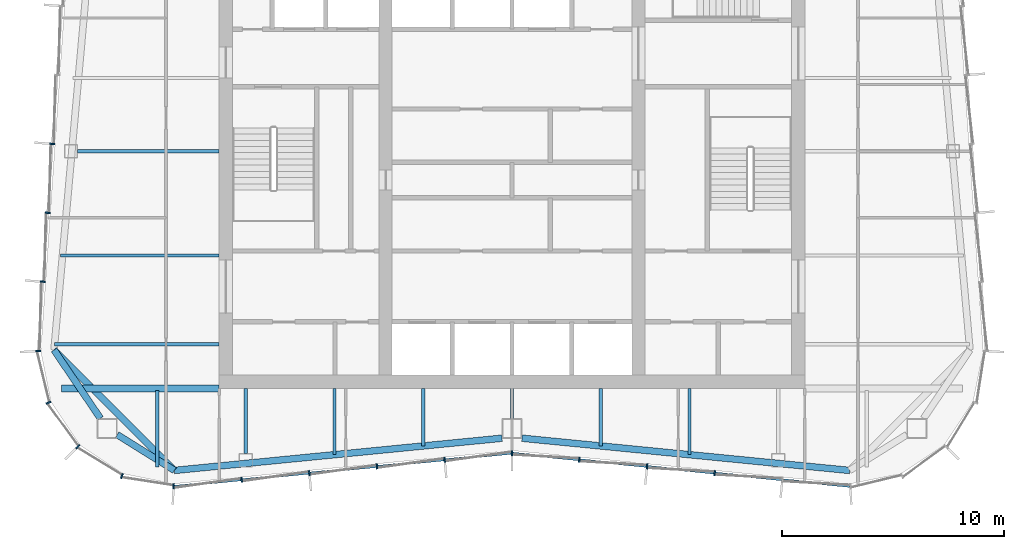
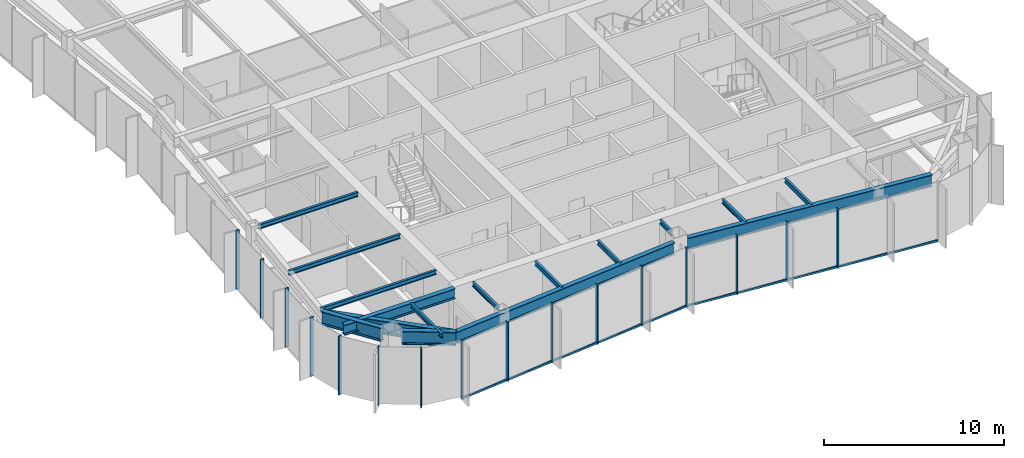
# One storey, part 3 of 13: 18 members, 16 beams, 3 elements without a shape of their own.
"""IFC4 building model written with IfcOpenShell, lengths in metres."""

from ifc_helpers import new_model, si_unit, direction, frame, origin, origin_2d, place, context, subcontext, project, spatial, rectangle, i_section, extrude, material, material_profile, profile_set, type_object, element, aggregate, save


model = new_model("IFC4")

# Units and contexts
model_context = context("Model", 3, precision=1e-05, world=origin(), true_north=direction((0.0, 1.0)))
body_context = subcontext(model_context, "Body", "Model", "MODEL_VIEW")
ifc_project = project(units=[si_unit("LENGTHUNIT", "METRE"), si_unit("AREAUNIT", "SQUARE_METRE"), si_unit("VOLUMEUNIT", "CUBIC_METRE"), si_unit("PLANEANGLEUNIT", "RADIAN"), si_unit("MASSUNIT", "GRAM", prefix="KILO")], contexts=[model_context])

# Site, building, storey
site_placement = place(None, origin())
site = spatial("IfcSite", under=ifc_project, at=site_placement, CompositionType="ELEMENT")
building_placement = place(site_placement, origin())
building = spatial("IfcBuilding", under=site, at=building_placement, Name="Verdant Reach Tower", CompositionType="ELEMENT")
storey_placement = place(building_placement, frame((0.0, 0.0, 330.0)))
storey = spatial("IfcBuildingStorey", under=building, at=storey_placement, Name="L76", CompositionType="ELEMENT", Elevation=330.0)

# Curtain wall, members
ifc_material_1 = material(Name="Anodised aluminium", Category="aluminium")
curtain_wall_type = type_object("IfcCurtainWallType", Name="EN-CW SYSTEM Z5", PredefinedType="NOTDEFINED", material=ifc_material_1)
curtain_wall_1_placement = place(storey_placement, origin())
curtain_wall_1 = element("IfcCurtainWall", 1, at=curtain_wall_1_placement, inside=storey, type_object=curtain_wall_type, Name="Curtain wall west, L76", PredefinedType="NOTDEFINED")
ifc_material_profile_1 = material_profile(ifc_material_1, rectangle(XDim=0.22998046875, YDim=0.070068359375, at=origin_2d()), Name="Mullion 70x230")
ifc_profile_set_1 = profile_set([ifc_material_profile_1], Name="Anodised aluminium")
member_type_1 = type_object("IfcMemberType", Name="EN-MULLION Z5", PredefinedType="MULLION", material=ifc_profile_set_1)
member_1_placement = place(storey_placement, frame((-20.721923828125, 28.829345703125, -0.35009765625), z_axis=(0.0, 0.0, 1.0), x_axis=(-0.997630328423, 0.068802091615, 0.0)))
member_1 = element("IfcMember", 2, at=member_1_placement, type_object=member_type_1, Name="Mullion west face part 2 5, L76", PredefinedType="MULLION", context=body_context, shape_type="SweptSolid", body=[
    extrude(rectangle(XDim=0.22998046875, YDim=0.070068359375, at=origin_2d()), origin(), (0.0, 0.0, 1.0), 4.0),
])
member_2_placement = place(storey_placement, frame((-20.93603515625, 25.72216796875, -0.35009765625), z_axis=(0.0, 0.0, 1.0), x_axis=(-0.997630328423, 0.068802091615, 0.0)))
member_2 = element("IfcMember", 3, at=member_2_placement, type_object=member_type_1, Name="Mullion west face part 2 6, L76", PredefinedType="MULLION", context=body_context, shape_type="SweptSolid", body=[
    extrude(rectangle(XDim=0.22998046875, YDim=0.070068359375, at=origin_2d()), origin(), (0.0, 0.0, 1.0), 4.0),
])
member_3_placement = place(storey_placement, frame((-21.150390625, 22.614990234375, -0.35009765625), z_axis=(0.0, 0.0, 1.0), x_axis=(-0.997630328423, 0.068802091615, 0.0)))
member_3 = element("IfcMember", 4, at=member_3_placement, type_object=member_type_1, Name="Mullion west face part 2 7, L76", PredefinedType="MULLION", context=body_context, shape_type="SweptSolid", body=[
    extrude(rectangle(XDim=0.22998046875, YDim=0.070068359375, at=origin_2d()), origin(), (0.0, 0.0, 1.0), 4.0),
])
aggregate(curtain_wall_1, [member_1, member_2, member_3])

curtain_wall_2_placement = place(storey_placement, origin())
curtain_wall_2 = element("IfcCurtainWall", 5, at=curtain_wall_2_placement, inside=storey, type_object=curtain_wall_type, Name="Curtain wall south-west corner, L76", PredefinedType="NOTDEFINED")
member_4_placement = place(storey_placement, frame((-21.36474609375, 19.49267578125, -0.35009765625), z_axis=(0.0, 0.0, 1.0), x_axis=(-0.997969180898, -0.063698618332, 0.0)))
member_4 = element("IfcMember", 6, at=member_4_placement, type_object=member_type_1, Name="Mullion south-west corner 1, L76", PredefinedType="MULLION", context=body_context, shape_type="SweptSolid", body=[
    extrude(rectangle(XDim=0.22998046875, YDim=0.070068359375, at=origin_2d()), origin(), (0.0, 0.0, 1.0), 4.0),
])
member_5_placement = place(storey_placement, frame((-20.899658203125, 17.159912109375, -0.35009765625), z_axis=(0.0, 0.0, 1.0), x_axis=(-0.923875215753, -0.382693853776, 0.0)))
member_5 = element("IfcMember", 7, at=member_5_placement, type_object=member_type_1, Name="Mullion south-west corner 2, L76", PredefinedType="MULLION", context=body_context, shape_type="SweptSolid", body=[
    extrude(rectangle(XDim=0.22998046875, YDim=0.070068359375, at=origin_2d()), origin(), (0.0, 0.0, 1.0), 4.0),
])
member_6_placement = place(storey_placement, frame((-19.573974609375, 15.176025390625, -0.35009765625), z_axis=(0.0, 0.0, 1.0), x_axis=(-0.707106781187, -0.707106781187, 0.0)))
member_6 = element("IfcMember", 8, at=member_6_placement, type_object=member_type_1, Name="Mullion south-west corner 3, L76", PredefinedType="MULLION", context=body_context, shape_type="SweptSolid", body=[
    extrude(rectangle(XDim=0.22998046875, YDim=0.070068359375, at=origin_2d()), origin(), (0.0, 0.0, 1.0), 4.0),
])
member_7_placement = place(storey_placement, frame((-17.590087890625, 13.850341796875, -0.35009765625), z_axis=(0.0, 0.0, 1.0), x_axis=(-0.382693853776, -0.923875215753, 0.0)))
member_7 = element("IfcMember", 9, at=member_7_placement, type_object=member_type_1, Name="Mullion south-west corner 4, L76", PredefinedType="MULLION", context=body_context, shape_type="SweptSolid", body=[
    extrude(rectangle(XDim=0.22998046875, YDim=0.070068359375, at=origin_2d()), origin(), (0.0, 0.0, 1.0), 4.0),
])
aggregate(curtain_wall_2, [member_4, member_5, member_6, member_7])

curtain_wall_3_placement = place(storey_placement, origin())
curtain_wall_3 = element("IfcCurtainWall", 10, at=curtain_wall_3_placement, inside=storey, type_object=curtain_wall_type, Name="Curtain wall south, L76", PredefinedType="NOTDEFINED")
member_8_placement = place(storey_placement, frame((-15.255615234375, 13.38525390625, -0.35009765625), z_axis=(0.0, 0.0, 1.0), x_axis=(-0.049127596288, -0.998792510626, 0.0)))
member_8 = element("IfcMember", 11, at=member_8_placement, type_object=member_type_1, Name="Mullion south face part 1 1, L76", PredefinedType="MULLION", context=body_context, shape_type="SweptSolid", body=[
    extrude(rectangle(XDim=0.22998046875, YDim=0.070068359375, at=origin_2d()), origin(), (0.0, 0.0, 1.0), 4.0),
])
member_9_placement = place(storey_placement, frame((-12.188720703125, 13.685546875, -0.35009765625), z_axis=(0.0, 0.0, 1.0), x_axis=(0.09788826992, -0.995197410875, 0.0)))
member_9 = element("IfcMember", 12, at=member_9_placement, type_object=member_type_1, Name="Mullion south face part 1 2, L76", PredefinedType="MULLION", context=body_context, shape_type="SweptSolid", body=[
    extrude(rectangle(XDim=0.22998046875, YDim=0.070068359375, at=origin_2d()), origin(), (0.0, 0.0, 1.0), 4.0),
])
member_10_placement = place(storey_placement, frame((-9.138671875, 13.985595703125, -0.35009765625), z_axis=(0.0, 0.0, 1.0), x_axis=(0.09788826992, -0.995197410875, 0.0)))
member_10 = element("IfcMember", 13, at=member_10_placement, type_object=member_type_1, Name="Mullion south face part 1 3, L76", PredefinedType="MULLION", context=body_context, shape_type="SweptSolid", body=[
    extrude(rectangle(XDim=0.22998046875, YDim=0.070068359375, at=origin_2d()), origin(), (0.0, 0.0, 1.0), 4.0),
])
member_11_placement = place(storey_placement, frame((-6.088623046875, 14.28564453125, -0.35009765625), z_axis=(0.0, 0.0, 1.0), x_axis=(0.09788826992, -0.995197410875, 0.0)))
member_11 = element("IfcMember", 14, at=member_11_placement, type_object=member_type_1, Name="Mullion south face part 1 4, L76", PredefinedType="MULLION", context=body_context, shape_type="SweptSolid", body=[
    extrude(rectangle(XDim=0.22998046875, YDim=0.070068359375, at=origin_2d()), origin(), (0.0, 0.0, 1.0), 4.0),
])
member_12_placement = place(storey_placement, frame((-3.038818359375, 14.58544921875, -0.35009765625), z_axis=(0.0, 0.0, 1.0), x_axis=(0.09788826992, -0.995197410875, 0.0)))
member_12 = element("IfcMember", 15, at=member_12_placement, type_object=member_type_1, Name="Mullion south face part 1 5, L76", PredefinedType="MULLION", context=body_context, shape_type="SweptSolid", body=[
    extrude(rectangle(XDim=0.22998046875, YDim=0.070068359375, at=origin_2d()), origin(), (0.0, 0.0, 1.0), 4.0),
])
member_13_placement = place(storey_placement, frame((0.0, 14.885009765625, -0.35009765625), z_axis=(0.0, 0.0, 1.0), x_axis=(0.0, -1.0, 0.0)))
member_13 = element("IfcMember", 16, at=member_13_placement, type_object=member_type_1, Name="Mullion south face part 2 1, L76", PredefinedType="MULLION", context=body_context, shape_type="SweptSolid", body=[
    extrude(rectangle(XDim=0.22998046875, YDim=0.070068359375, at=origin_2d()), origin(), (0.0, 0.0, 1.0), 4.0),
])
member_14_placement = place(storey_placement, frame((3.038818359375, 14.58544921875, -0.35009765625), z_axis=(0.0, 0.0, 1.0), x_axis=(-0.09788826992, -0.995197410875, 0.0)))
member_14 = element("IfcMember", 17, at=member_14_placement, type_object=member_type_1, Name="Mullion south face part 2 2, L76", PredefinedType="MULLION", context=body_context, shape_type="SweptSolid", body=[
    extrude(rectangle(XDim=0.22998046875, YDim=0.070068359375, at=origin_2d()), origin(), (0.0, 0.0, 1.0), 4.0),
])
member_15_placement = place(storey_placement, frame((6.088623046875, 14.28564453125, -0.35009765625), z_axis=(0.0, 0.0, 1.0), x_axis=(-0.09788826992, -0.995197410875, 0.0)))
member_15 = element("IfcMember", 18, at=member_15_placement, type_object=member_type_1, Name="Mullion south face part 2 3, L76", PredefinedType="MULLION", context=body_context, shape_type="SweptSolid", body=[
    extrude(rectangle(XDim=0.22998046875, YDim=0.070068359375, at=origin_2d()), origin(), (0.0, 0.0, 1.0), 4.0),
])
member_16_placement = place(storey_placement, frame((9.138671875, 13.985595703125, -0.35009765625), z_axis=(0.0, 0.0, 1.0), x_axis=(-0.09788826992, -0.995197410875, 0.0)))
member_16 = element("IfcMember", 19, at=member_16_placement, type_object=member_type_1, Name="Mullion south face part 2 4, L76", PredefinedType="MULLION", context=body_context, shape_type="SweptSolid", body=[
    extrude(rectangle(XDim=0.22998046875, YDim=0.070068359375, at=origin_2d()), origin(), (0.0, 0.0, 1.0), 4.0),
])
ifc_material_profile_2 = material_profile(ifc_material_1, rectangle(XDim=0.10009765625, YDim=0.1298828125, at=origin_2d()), Name="Transom 130x100")
ifc_profile_set_2 = profile_set([ifc_material_profile_2], Name="Anodised aluminium")
member_type_2 = type_object("IfcMemberType", Name="EN-TRANSOM Z5", PredefinedType="USERDEFINED", material=ifc_profile_set_2)
member_17_placement = place(storey_placement, frame((-15.220703125, 13.388671875, -0.284912109375), z_axis=(0.99520229006, 0.097838652171, 0.0), x_axis=(-0.097838652171, 0.99520229006, 0.0)))
member_17 = element("IfcMember", 20, at=member_17_placement, type_object=member_type_2, Name="Transom south face part 1 1.1, L76", ObjectType="TRANSOM", PredefinedType="USERDEFINED", context=body_context, shape_type="SweptSolid", body=[
    extrude(rectangle(XDim=0.10009765625, YDim=0.1298828125, at=origin_2d()), origin(), (0.0, 0.0, 1.0), 15.259033203125),
])
member_18_placement = place(storey_placement, frame((0.034912109375, 14.881591796875, -0.284912109375), z_axis=(0.99520229006, -0.097838652171, 0.0), x_axis=(0.097838652171, 0.99520229006, 0.0)))
member_18 = element("IfcMember", 21, at=member_18_placement, type_object=member_type_2, Name="Transom south face part 2 1.1, L76", ObjectType="TRANSOM", PredefinedType="USERDEFINED", context=body_context, shape_type="SweptSolid", body=[
    extrude(rectangle(XDim=0.10009765625, YDim=0.1298828125, at=origin_2d()), origin(), (0.0, 0.0, 1.0), 15.259033203125),
])
aggregate(curtain_wall_3, [member_8, member_9, member_10, member_11, member_12, member_17, member_13, member_14, member_15, member_16, member_18])

# Beams
ifc_material_2 = material(Name="Steel S355", Category="steel")
ifc_material_profile_3 = material_profile(ifc_material_2, i_section(OverallWidth=0.300048828125, OverallDepth=0.699951171875, WebThickness=0.01708984375, FlangeThickness=0.031982421875, FilletRadius=0.027099609375, at=origin_2d()), Name="HEB 700")
ifc_profile_set_3 = profile_set([ifc_material_profile_3], Name="Steel S355")
beam_type_1 = type_object("IfcBeamType", Name="ST-BEAM-HEB700", PredefinedType="BEAM", material=ifc_profile_set_3)
beam_1_placement = place(storey_placement, frame((-13.199951171875, 17.800048828125, 3.469970703125), z_axis=(-1.0, 0.0, 0.0), x_axis=(0.0, -1.0, 0.0)))
element("IfcBeam", 22, at=beam_1_placement, inside=storey, type_object=beam_type_1, Name="Trimmer beam, L76", PredefinedType="BEAM", context=body_context, shape_type="SweptSolid", body=[
    extrude(i_section(OverallWidth=0.300048828125, OverallDepth=0.699951171875, WebThickness=0.01708984375, FlangeThickness=0.031982421875, FilletRadius=0.027099609375, at=origin_2d()), origin(), (0.0, 0.0, 1.0), 7.10009765625),
])
ifc_material_profile_4 = material_profile(ifc_material_2, i_section(OverallWidth=0.302001953125, OverallDepth=0.909912109375, WebThickness=0.02099609375, FlangeThickness=0.0400390625, FilletRadius=0.030029296875, at=origin_2d()), Name="HEM 900")
ifc_profile_set_4 = profile_set([ifc_material_profile_4], Name="Steel S355")
beam_type_2 = type_object("IfcBeamType", Name="ST-BEAM-HEM900", PredefinedType="BEAM", material=ifc_profile_set_4)
beam_2_placement = place(storey_placement, frame((-17.800048828125, 15.71875, 3.364990234375), z_axis=(0.847903624467, -0.530150397166, 0.0), x_axis=(0.530150397166, 0.847903624467, 0.0)))
element("IfcBeam", 23, at=beam_2_placement, inside=storey, type_object=beam_type_2, Name="Column stub beam, L76", PredefinedType="BEAM", context=body_context, shape_type="SweptSolid", body=[
    extrude(i_section(OverallWidth=0.302001953125, OverallDepth=0.909912109375, WebThickness=0.02099609375, FlangeThickness=0.0400390625, FilletRadius=0.030029296875, at=origin_2d()), origin(), (0.0, 0.0, 1.0), 3.042724609375),
])
beam_3_placement = place(storey_placement, frame((-18.5546875, 16.449951171875, 3.364990234375), z_axis=(-0.560667226688, 0.828041219335, 0.0), x_axis=(-0.828041219335, -0.560667226688, 0.0)))
element("IfcBeam", 24, at=beam_3_placement, inside=storey, type_object=beam_type_2, Name="Column stub beam, L76", PredefinedType="BEAM", context=body_context, shape_type="SweptSolid", body=[
    extrude(i_section(OverallWidth=0.302001953125, OverallDepth=0.909912109375, WebThickness=0.02099609375, FlangeThickness=0.0400390625, FilletRadius=0.030029296875, at=origin_2d()), origin(), (0.0, 0.0, 1.0), 3.72998046875),
])
ifc_material_profile_5 = material_profile(ifc_material_2, i_section(OverallWidth=0.14990234375, OverallDepth=0.300048828125, WebThickness=0.007080078125, FlangeThickness=0.0107421875, FilletRadius=0.014892578125, at=origin_2d()), Name="IPE 300")
ifc_profile_set_5 = profile_set([ifc_material_profile_5], Name="Steel S355")
beam_type_3 = type_object("IfcBeamType", Name="ST-JOIST-IPE300", PredefinedType="JOIST", material=ifc_profile_set_5)
beam_4_placement = place(storey_placement, frame((-16.0, 17.699951171875, 3.669921875), z_axis=(0.0, -1.0, 0.0), x_axis=(1.0, 0.0, 0.0)))
element("IfcBeam", 25, at=beam_4_placement, inside=storey, type_object=beam_type_3, Name="Floor joist, L76", PredefinedType="JOIST", context=body_context, shape_type="SweptSolid", body=[
    extrude(i_section(OverallWidth=0.14990234375, OverallDepth=0.300048828125, WebThickness=0.007080078125, FlangeThickness=0.0107421875, FilletRadius=0.014892578125, at=origin_2d()), origin(), (0.0, 0.0, 1.0), 3.43896484375),
])
beam_5_placement = place(storey_placement, frame((-12.0, 17.800048828125, 3.669921875), z_axis=(0.0, -1.0, 0.0), x_axis=(1.0, 0.0, 0.0)))
element("IfcBeam", 26, at=beam_5_placement, inside=storey, type_object=beam_type_3, Name="Floor joist, L76", PredefinedType="JOIST", context=body_context, shape_type="SweptSolid", body=[
    extrude(i_section(OverallWidth=0.14990234375, OverallDepth=0.300048828125, WebThickness=0.007080078125, FlangeThickness=0.0107421875, FilletRadius=0.014892578125, at=origin_2d()), origin(), (0.0, 0.0, 1.0), 2.930419921875),
])
beam_6_placement = place(storey_placement, frame((-8.0, 17.800048828125, 3.669921875), z_axis=(0.0, -1.0, 0.0), x_axis=(1.0, 0.0, 0.0)))
element("IfcBeam", 27, at=beam_6_placement, inside=storey, type_object=beam_type_3, Name="Floor joist, L76", PredefinedType="JOIST", context=body_context, shape_type="SweptSolid", body=[
    extrude(i_section(OverallWidth=0.14990234375, OverallDepth=0.300048828125, WebThickness=0.007080078125, FlangeThickness=0.0107421875, FilletRadius=0.014892578125, at=origin_2d()), origin(), (0.0, 0.0, 1.0), 2.984130859375),
])
beam_7_placement = place(storey_placement, frame((-4.0, 17.800048828125, 3.669921875), z_axis=(0.0, -1.0, 0.0), x_axis=(1.0, 0.0, 0.0)))
element("IfcBeam", 28, at=beam_7_placement, inside=storey, type_object=beam_type_3, Name="Floor joist, L76", PredefinedType="JOIST", context=body_context, shape_type="SweptSolid", body=[
    extrude(i_section(OverallWidth=0.14990234375, OverallDepth=0.300048828125, WebThickness=0.007080078125, FlangeThickness=0.0107421875, FilletRadius=0.014892578125, at=origin_2d()), origin(), (0.0, 0.0, 1.0), 2.590576171875),
])
beam_8_placement = place(storey_placement, frame((0.0, 17.800048828125, 3.669921875), z_axis=(0.0, -1.0, 0.0), x_axis=(1.0, 0.0, 0.0)))
element("IfcBeam", 29, at=beam_8_placement, inside=storey, type_object=beam_type_3, Name="Floor joist, L76", PredefinedType="JOIST", context=body_context, shape_type="SweptSolid", body=[
    extrude(i_section(OverallWidth=0.14990234375, OverallDepth=0.300048828125, WebThickness=0.007080078125, FlangeThickness=0.0107421875, FilletRadius=0.014892578125, at=origin_2d()), origin(), (0.0, 0.0, 1.0), 1.35009765625),
])
beam_9_placement = place(storey_placement, frame((4.0, 17.800048828125, 3.669921875), z_axis=(0.0, -1.0, 0.0), x_axis=(1.0, 0.0, 0.0)))
element("IfcBeam", 30, at=beam_9_placement, inside=storey, type_object=beam_type_3, Name="Floor joist, L76", PredefinedType="JOIST", context=body_context, shape_type="SweptSolid", body=[
    extrude(i_section(OverallWidth=0.14990234375, OverallDepth=0.300048828125, WebThickness=0.007080078125, FlangeThickness=0.0107421875, FilletRadius=0.014892578125, at=origin_2d()), origin(), (0.0, 0.0, 1.0), 2.590576171875),
])
beam_10_placement = place(storey_placement, frame((8.0, 17.800048828125, 3.669921875), z_axis=(0.0, -1.0, 0.0), x_axis=(1.0, 0.0, 0.0)))
element("IfcBeam", 31, at=beam_10_placement, inside=storey, type_object=beam_type_3, Name="Floor joist, L76", PredefinedType="JOIST", context=body_context, shape_type="SweptSolid", body=[
    extrude(i_section(OverallWidth=0.14990234375, OverallDepth=0.300048828125, WebThickness=0.007080078125, FlangeThickness=0.0107421875, FilletRadius=0.014892578125, at=origin_2d()), origin(), (0.0, 0.0, 1.0), 2.984130859375),
])
beam_11_placement = place(storey_placement, frame((-13.199951171875, 19.800048828125, 3.669921875), z_axis=(-1.0, 0.0, 0.0), x_axis=(0.0, -1.0, 0.0)))
element("IfcBeam", 32, at=beam_11_placement, inside=storey, type_object=beam_type_3, Name="Floor joist, L76", PredefinedType="JOIST", context=body_context, shape_type="SweptSolid", body=[
    extrude(i_section(OverallWidth=0.14990234375, OverallDepth=0.300048828125, WebThickness=0.007080078125, FlangeThickness=0.0107421875, FilletRadius=0.014892578125, at=origin_2d()), origin(), (0.0, 0.0, 1.0), 7.427978515625),
])
beam_12_placement = place(storey_placement, frame((-13.199951171875, 23.800048828125, 3.669921875), z_axis=(-1.0, 0.0, 0.0), x_axis=(0.0, -1.0, 0.0)))
element("IfcBeam", 33, at=beam_12_placement, inside=storey, type_object=beam_type_3, Name="Floor joist, L76", PredefinedType="JOIST", context=body_context, shape_type="SweptSolid", body=[
    extrude(i_section(OverallWidth=0.14990234375, OverallDepth=0.300048828125, WebThickness=0.007080078125, FlangeThickness=0.0107421875, FilletRadius=0.014892578125, at=origin_2d()), origin(), (0.0, 0.0, 1.0), 7.152099609375),
])
beam_13_placement = place(storey_placement, frame((-13.199951171875, 28.5, 3.669921875), z_axis=(-1.0, 0.0, 0.0), x_axis=(0.0, -1.0, 0.0)))
element("IfcBeam", 34, at=beam_13_placement, inside=storey, type_object=beam_type_3, Name="Floor joist, L76", PredefinedType="JOIST", context=body_context, shape_type="SweptSolid", body=[
    extrude(i_section(OverallWidth=0.14990234375, OverallDepth=0.300048828125, WebThickness=0.007080078125, FlangeThickness=0.0107421875, FilletRadius=0.014892578125, at=origin_2d()), origin(), (0.0, 0.0, 1.0), 6.37939453125),
])
ifc_material_profile_6 = material_profile(ifc_material_2, i_section(OverallWidth=0.300048828125, OverallDepth=0.800048828125, WebThickness=0.017578125, FlangeThickness=0.032958984375, FilletRadius=0.030029296875, at=origin_2d()), Name="HEB 800")
ifc_profile_set_6 = profile_set([ifc_material_profile_6], Name="Steel S355")
beam_type_4 = type_object("IfcBeamType", Name="ST-SPANDREL-HEB800", PredefinedType="SPANDREL", material=ifc_profile_set_6)
for number, where, z_axis, x_axis, name in (
    (35, (15.22021484375, 14.105712890625, 3.419921875), (-0.995196964263, 0.097892810366, 0.0), (-0.097892810366, -0.995196964263, 0.0), "Edge beam, L76"),
    (36, (-0.449951171875, 15.55859375, 3.419921875), (-0.995196964263, -0.097892810366, 0.0), (0.097892810366, -0.995196964263, 0.0), "Edge beam, L76"),
):
    element("IfcBeam", number, at=place(storey_placement, frame(where, z_axis=z_axis, x_axis=x_axis)), inside=storey, type_object=beam_type_4, Name=name, PredefinedType="SPANDREL", context=body_context, shape_type="SweptSolid", body=[
        extrude(i_section(OverallWidth=0.300048828125, OverallDepth=0.800048828125, WebThickness=0.017578125, FlangeThickness=0.032958984375, FilletRadius=0.030029296875, at=origin_2d()), origin(), (0.0, 0.0, 1.0), 14.841552734375),
    ])
ifc_material_profile_7 = material_profile(ifc_material_2, i_section(OverallWidth=0.302001953125, OverallDepth=0.909912109375, WebThickness=0.02099609375, FlangeThickness=0.0400390625, FilletRadius=0.030029296875, at=origin_2d()), Name="HEM 900")
ifc_profile_set_7 = profile_set([ifc_material_profile_7], Name="Steel S355")
beam_type_5 = type_object("IfcBeamType", Name="ST-SPANDREL-HEM900", PredefinedType="SPANDREL", material=ifc_profile_set_7)
beam_14_placement = place(storey_placement, frame((-15.22021484375, 14.105712890625, 3.364990234375), z_axis=(-0.706645581521, 0.707567680237, 0.0), x_axis=(-0.707567680237, -0.706645581521, 0.0)))
element("IfcBeam", 37, at=beam_14_placement, inside=storey, type_object=beam_type_5, Name="Edge beam, L76", PredefinedType="SPANDREL", context=body_context, shape_type="SweptSolid", body=[
    extrude(i_section(OverallWidth=0.302001953125, OverallDepth=0.909912109375, WebThickness=0.02099609375, FlangeThickness=0.0400390625, FilletRadius=0.030029296875, at=origin_2d()), origin(), (0.0, 0.0, 1.0), 7.67822265625),
])

save(model, "model.ifc")
